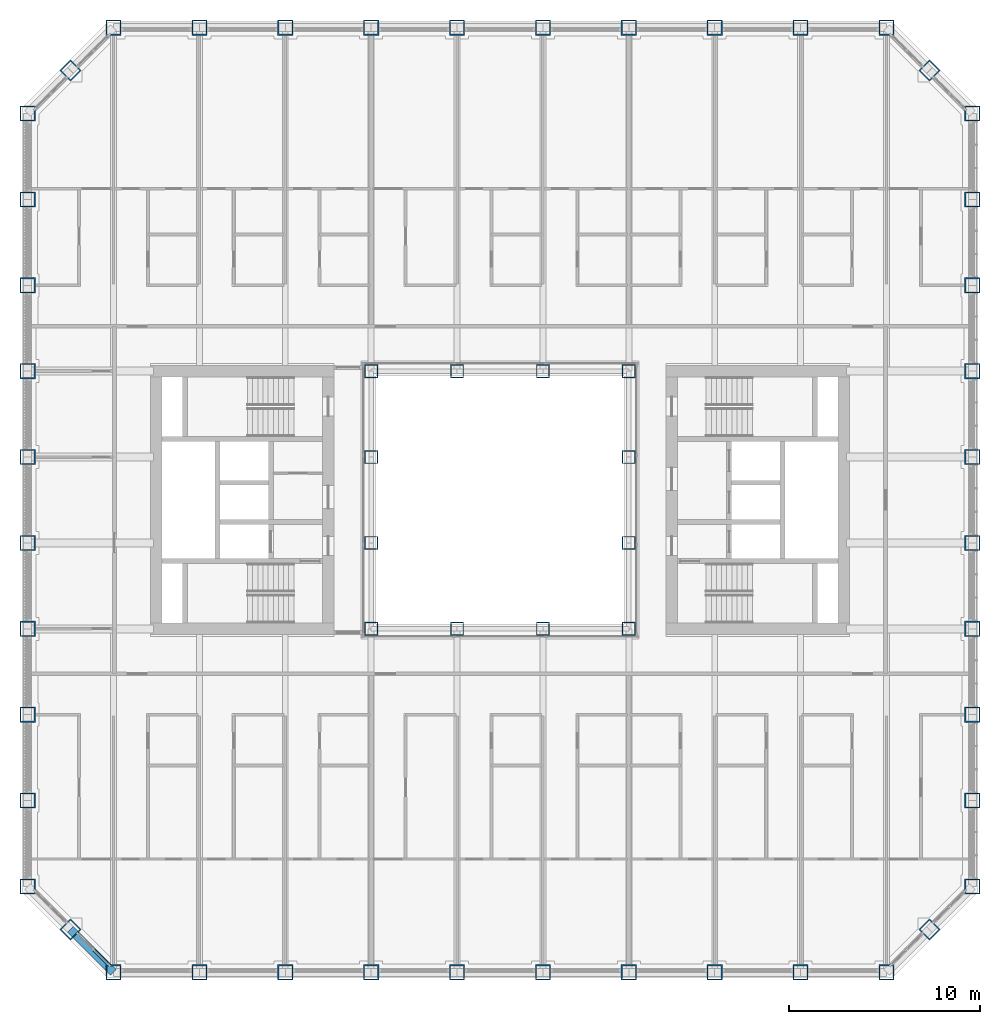
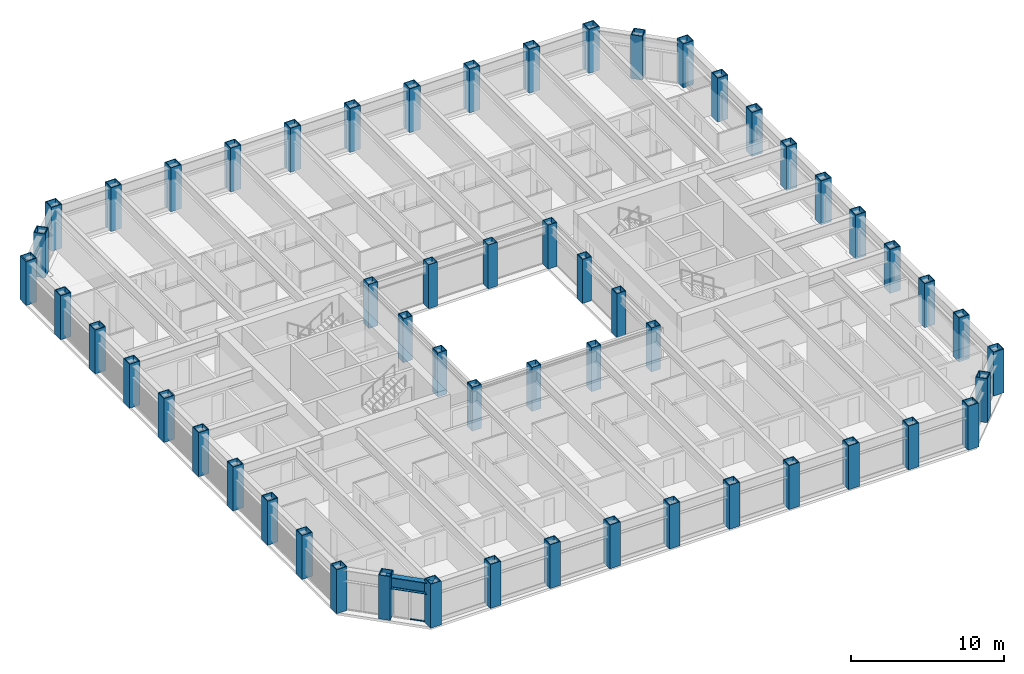
# One storey, part 1 of 21: 56 columns, 2 members, 1 beam, 1 element without a shape of its own.
"""IFC4 building model written with IfcOpenShell, lengths in metres."""

from ifc_helpers import new_model, si_unit, direction, frame, origin, origin_2d, place, context, subcontext, project, spatial, rectangle, hollow_rectangle, i_section, extrude, material, material_profile, profile_set, type_object, element, aggregate, save


model = new_model("IFC4")

# Units and contexts
model_context = context("Model", 3, precision=1e-05, world=origin(), true_north=direction((0.0, 1.0)))
body_context = subcontext(model_context, "Body", "Model", "MODEL_VIEW")
ifc_project = project(units=[si_unit("LENGTHUNIT", "METRE"), si_unit("AREAUNIT", "SQUARE_METRE"), si_unit("VOLUMEUNIT", "CUBIC_METRE"), si_unit("PLANEANGLEUNIT", "RADIAN"), si_unit("MASSUNIT", "GRAM", prefix="KILO")], contexts=[model_context])

# Site, building, storey
site_placement = place(None, origin())
site = spatial("IfcSite", under=ifc_project, at=site_placement, CompositionType="ELEMENT")
building_placement = place(site_placement, origin())
building = spatial("IfcBuilding", under=site, at=building_placement, Name="Msasa Ring Tower", CompositionType="ELEMENT")
storey_placement = place(building_placement, frame((0.0, 0.0, 96.5)))
storey = spatial("IfcBuildingStorey", under=building, at=storey_placement, Name="L25", CompositionType="ELEMENT", Elevation=96.5)

# Columns
ifc_material_1 = material(Name="Steel S355", Category="steel")
ifc_material_profile_1 = material_profile(ifc_material_1, hollow_rectangle(XDim=0.699951171875, YDim=0.699951171875, WallThickness=0.050048828125, at=origin_2d()), Name="BOX 700x700x50")
ifc_profile_set_1 = profile_set([ifc_material_profile_1], Name="Steel S355")
column_type_1 = type_object("IfcColumnType", Name="IC3 BOX 700x700x50", PredefinedType="COLUMN", material=ifc_profile_set_1)
for number, where, z_axis, x_axis, name in (
    (1, (-6.75, -6.75, 0.0), (0.0, 0.0, 1.0), (1.0, 0.0, 0.0), "Inner ring column IR-6.75-6.75 L25"),
    (2, (-6.75, -2.25, 0.0), (0.0, 0.0, 1.0), (1.0, 0.0, 0.0), "Inner ring column IR-6.75-2.25 L25"),
    (3, (-6.75, 2.25, 0.0), (0.0, 0.0, 1.0), (1.0, 0.0, 0.0), "Inner ring column IR-6.75+2.25 L25"),
    (4, (-6.75, 6.75, 0.0), (0.0, 0.0, 1.0), (1.0, 0.0, 0.0), "Inner ring column IR-6.75+6.75 L25"),
    (5, (-2.25, -6.75, 0.0), (0.0, 0.0, 1.0), (1.0, 0.0, 0.0), "Inner ring column IR-2.25-6.75 L25"),
    (6, (-2.25, 6.75, 0.0), (0.0, 0.0, 1.0), (1.0, 0.0, 0.0), "Inner ring column IR-2.25+6.75 L25"),
    (7, (2.25, -6.75, 0.0), (0.0, 0.0, 1.0), (1.0, 0.0, 0.0), "Inner ring column IR+2.25-6.75 L25"),
    (8, (2.25, 6.75, 0.0), (0.0, 0.0, 1.0), (1.0, 0.0, 0.0), "Inner ring column IR+2.25+6.75 L25"),
    (9, (6.75, -6.75, 0.0), (0.0, 0.0, 1.0), (1.0, 0.0, 0.0), "Inner ring column IR+6.75-6.75 L25"),
    (10, (6.75, -2.25, 0.0), (0.0, 0.0, 1.0), (1.0, 0.0, 0.0), "Inner ring column IR+6.75-2.25 L25"),
    (11, (6.75, 2.25, 0.0), (0.0, 0.0, 1.0), (1.0, 0.0, 0.0), "Inner ring column IR+6.75+2.25 L25"),
    (12, (6.75, 6.75, 0.0), (0.0, 0.0, 1.0), (1.0, 0.0, 0.0), "Inner ring column IR+6.75+6.75 L25"),
):
    element("IfcColumn", number, at=place(storey_placement, frame(where, z_axis=z_axis, x_axis=x_axis)), inside=storey, type_object=column_type_1, Name=name, PredefinedType="COLUMN", context=body_context, shape_type="SweptSolid", body=[
        extrude(hollow_rectangle(XDim=0.699951171875, YDim=0.699951171875, WallThickness=0.050048828125, at=origin_2d()), origin(), (0.0, 0.0, 1.0), 3.5),
    ])
ifc_material_2 = material(Name="Steel S355", Category="steel")
ifc_material_profile_2 = material_profile(ifc_material_2, hollow_rectangle(XDim=0.800048828125, YDim=0.800048828125, WallThickness=0.06005859375, at=origin_2d()), Name="BOX 800x800x60")
ifc_profile_set_2 = profile_set([ifc_material_profile_2], Name="Steel S355")
column_type_2 = type_object("IfcColumnType", Name="TC3 BOX 800x800x60", PredefinedType="COLUMN", material=ifc_profile_set_2)
for number, where, z_axis, x_axis, name in (
    (13, (-20.25, -24.75, 0.0), (0.0, 0.0, 1.0), (0.0, 1.0, 0.0), "Tube column S-20.25 L25"),
    (14, (-20.25, 24.75, 0.0), (0.0, 0.0, 1.0), (0.0, 1.0, 0.0), "Tube column N-20.25 L25"),
    (15, (24.75, -20.25, 0.0), (0.0, 0.0, 1.0), (1.0, 0.0, 0.0), "Tube column E-20.25 L25"),
    (16, (-24.75, -20.25, 0.0), (0.0, 0.0, 1.0), (1.0, 0.0, 0.0), "Tube column W-20.25 L25"),
    (17, (-15.75, -24.75, 0.0), (0.0, 0.0, 1.0), (0.0, 1.0, 0.0), "Tube column S-15.75 L25"),
    (18, (-15.75, 24.75, 0.0), (0.0, 0.0, 1.0), (0.0, 1.0, 0.0), "Tube column N-15.75 L25"),
    (19, (24.75, -15.75, 0.0), (0.0, 0.0, 1.0), (1.0, 0.0, 0.0), "Tube column E-15.75 L25"),
    (20, (-24.75, -15.75, 0.0), (0.0, 0.0, 1.0), (1.0, 0.0, 0.0), "Tube column W-15.75 L25"),
    (21, (-11.25, -24.75, 0.0), (0.0, 0.0, 1.0), (0.0, 1.0, 0.0), "Tube column S-11.25 L25"),
    (22, (-11.25, 24.75, 0.0), (0.0, 0.0, 1.0), (0.0, 1.0, 0.0), "Tube column N-11.25 L25"),
    (23, (24.75, -11.25, 0.0), (0.0, 0.0, 1.0), (1.0, 0.0, 0.0), "Tube column E-11.25 L25"),
    (24, (-24.75, -11.25, 0.0), (0.0, 0.0, 1.0), (1.0, 0.0, 0.0), "Tube column W-11.25 L25"),
    (25, (-6.75, -24.75, 0.0), (0.0, 0.0, 1.0), (0.0, 1.0, 0.0), "Tube column S-6.75 L25"),
    (26, (-6.75, 24.75, 0.0), (0.0, 0.0, 1.0), (0.0, 1.0, 0.0), "Tube column N-6.75 L25"),
    (27, (24.75, -6.75, 0.0), (0.0, 0.0, 1.0), (1.0, 0.0, 0.0), "Tube column E-6.75 L25"),
    (28, (-24.75, -6.75, 0.0), (0.0, 0.0, 1.0), (1.0, 0.0, 0.0), "Tube column W-6.75 L25"),
    (29, (-2.25, -24.75, 0.0), (0.0, 0.0, 1.0), (0.0, 1.0, 0.0), "Tube column S-2.25 L25"),
    (30, (-2.25, 24.75, 0.0), (0.0, 0.0, 1.0), (0.0, 1.0, 0.0), "Tube column N-2.25 L25"),
    (31, (24.75, -2.25, 0.0), (0.0, 0.0, 1.0), (1.0, 0.0, 0.0), "Tube column E-2.25 L25"),
    (32, (-24.75, -2.25, 0.0), (0.0, 0.0, 1.0), (1.0, 0.0, 0.0), "Tube column W-2.25 L25"),
    (33, (2.25, -24.75, 0.0), (0.0, 0.0, 1.0), (0.0, 1.0, 0.0), "Tube column S+2.25 L25"),
    (34, (2.25, 24.75, 0.0), (0.0, 0.0, 1.0), (0.0, 1.0, 0.0), "Tube column N+2.25 L25"),
    (35, (24.75, 2.25, 0.0), (0.0, 0.0, 1.0), (1.0, 0.0, 0.0), "Tube column E+2.25 L25"),
    (36, (-24.75, 2.25, 0.0), (0.0, 0.0, 1.0), (1.0, 0.0, 0.0), "Tube column W+2.25 L25"),
    (37, (6.75, -24.75, 0.0), (0.0, 0.0, 1.0), (0.0, 1.0, 0.0), "Tube column S+6.75 L25"),
    (38, (6.75, 24.75, 0.0), (0.0, 0.0, 1.0), (0.0, 1.0, 0.0), "Tube column N+6.75 L25"),
    (39, (24.75, 6.75, 0.0), (0.0, 0.0, 1.0), (1.0, 0.0, 0.0), "Tube column E+6.75 L25"),
    (40, (-24.75, 6.75, 0.0), (0.0, 0.0, 1.0), (1.0, 0.0, 0.0), "Tube column W+6.75 L25"),
    (41, (11.25, -24.75, 0.0), (0.0, 0.0, 1.0), (0.0, 1.0, 0.0), "Tube column S+11.25 L25"),
    (42, (11.25, 24.75, 0.0), (0.0, 0.0, 1.0), (0.0, 1.0, 0.0), "Tube column N+11.25 L25"),
    (43, (24.75, 11.25, 0.0), (0.0, 0.0, 1.0), (1.0, 0.0, 0.0), "Tube column E+11.25 L25"),
    (44, (-24.75, 11.25, 0.0), (0.0, 0.0, 1.0), (1.0, 0.0, 0.0), "Tube column W+11.25 L25"),
    (45, (15.75, -24.75, 0.0), (0.0, 0.0, 1.0), (0.0, 1.0, 0.0), "Tube column S+15.75 L25"),
    (46, (15.75, 24.75, 0.0), (0.0, 0.0, 1.0), (0.0, 1.0, 0.0), "Tube column N+15.75 L25"),
    (47, (24.75, 15.75, 0.0), (0.0, 0.0, 1.0), (1.0, 0.0, 0.0), "Tube column E+15.75 L25"),
    (48, (-24.75, 15.75, 0.0), (0.0, 0.0, 1.0), (1.0, 0.0, 0.0), "Tube column W+15.75 L25"),
    (49, (20.25, -24.75, 0.0), (0.0, 0.0, 1.0), (0.0, 1.0, 0.0), "Tube column S+20.25 L25"),
    (50, (20.25, 24.75, 0.0), (0.0, 0.0, 1.0), (0.0, 1.0, 0.0), "Tube column N+20.25 L25"),
    (51, (24.75, 20.25, 0.0), (0.0, 0.0, 1.0), (1.0, 0.0, 0.0), "Tube column E+20.25 L25"),
    (52, (-24.75, 20.25, 0.0), (0.0, 0.0, 1.0), (1.0, 0.0, 0.0), "Tube column W+20.25 L25"),
    (53, (22.5, -22.5, 0.0), (0.0, 0.0, 1.0), (0.707106781187, -0.707106781187, 0.0), "Tube column SE L25"),
    (54, (22.5, 22.5, 0.0), (0.0, 0.0, 1.0), (0.707106781187, 0.707106781187, 0.0), "Tube column NE L25"),
    (55, (-22.5, 22.5, 0.0), (0.0, 0.0, 1.0), (0.707106781187, -0.707106781187, 0.0), "Tube column NW L25"),
    (56, (-22.5, -22.5, 0.0), (0.0, 0.0, 1.0), (0.707106781187, 0.707106781187, 0.0), "Tube column SW L25"),
):
    element("IfcColumn", number, at=place(storey_placement, frame(where, z_axis=z_axis, x_axis=x_axis)), inside=storey, type_object=column_type_2, Name=name, PredefinedType="COLUMN", context=body_context, shape_type="SweptSolid", body=[
        extrude(hollow_rectangle(XDim=0.800048828125, YDim=0.800048828125, WallThickness=0.06005859375, at=origin_2d()), origin(), (0.0, 0.0, 1.0), 3.5),
    ])

# Curtain wall, members
ifc_material_3 = material(Name="Aluminium curtain wall with clear glass", Category="aluminium")
curtain_wall_type = type_object("IfcCurtainWallType", Name="CW-C CHAMFER CORNER CURTAIN WALL", PredefinedType="NOTDEFINED", material=ifc_material_3)
curtain_wall_placement = place(storey_placement, origin())
curtain_wall = element("IfcCurtainWall", 57, at=curtain_wall_placement, inside=storey, type_object=curtain_wall_type, Name="Chamfer corner curtain wall SW L25", PredefinedType="NOTDEFINED")
ifc_material_4 = material(Name="Aluminium transom", Category="aluminium")
ifc_material_profile_3 = material_profile(ifc_material_4, rectangle(XDim=0.139892578125, YDim=0.06494140625, at=origin_2d()), Name="AL 65x140")
ifc_profile_set_3 = profile_set([ifc_material_profile_3], Name="Aluminium transom")
member_type = type_object("IfcMemberType", Name="CW-C TRANSOM 65x140", PredefinedType="USERDEFINED", material=ifc_profile_set_3)
member_1_placement = place(storey_placement, frame((-21.28125, -23.577392578125, 0.032470703125), z_axis=(0.707106781187, -0.707106781187, 0.0), x_axis=(0.707106781187, 0.707106781187, 0.0)))
member_1 = element("IfcMember", 58, at=member_1_placement, type_object=member_type, Name="CW-C transom 2.1", ObjectType="TRANSOM", PredefinedType="USERDEFINED", context=body_context, shape_type="SweptSolid", body=[
    extrude(rectangle(XDim=0.139892578125, YDim=0.06494140625, at=origin_2d()), origin(), (0.0, 0.0, 1.0), 1.08837890625),
])
member_2_placement = place(storey_placement, frame((-21.28125, -23.577392578125, 2.346435546875), z_axis=(0.707106781187, -0.707106781187, 0.0), x_axis=(0.707106781187, 0.707106781187, 0.0)))
member_2 = element("IfcMember", 59, at=member_2_placement, type_object=member_type, Name="CW-C transom 2.2", ObjectType="TRANSOM", PredefinedType="USERDEFINED", context=body_context, shape_type="SweptSolid", body=[
    extrude(rectangle(XDim=0.139892578125, YDim=0.06494140625, at=origin_2d()), origin(), (0.0, 0.0, 1.0), 1.08837890625),
])
aggregate(curtain_wall, [member_1, member_2])

# Beam
ifc_material_5 = material(Name="Steel S355", Category="steel")
ifc_material_profile_4 = material_profile(ifc_material_5, i_section(OverallWidth=0.42041015625, OverallDepth=0.9208984375, WebThickness=0.021484375, FlangeThickness=0.03662109375, FilletRadius=0.024169921875, at=origin_2d()), Name="UB 914x419x388")
ifc_profile_set_4 = profile_set([ifc_material_profile_4], Name="Steel S355")
beam_type = type_object("IfcBeamType", Name="SB1 UB 914x419x388", PredefinedType="SPANDREL", material=ifc_profile_set_4)
beam_placement = place(storey_placement, frame((-22.5, -22.5, 2.839599609375), z_axis=(0.707106781187, -0.707106781187, 0.0), x_axis=(0.707106781187, 0.707106781187, 0.0)))
element("IfcBeam", 60, at=beam_placement, inside=storey, type_object=beam_type, Name="Spandrel SW to S-20.25 under L26", PredefinedType="SPANDREL", context=body_context, shape_type="SweptSolid", body=[
    extrude(i_section(OverallWidth=0.42041015625, OverallDepth=0.9208984375, WebThickness=0.021484375, FlangeThickness=0.03662109375, FilletRadius=0.024169921875, at=origin_2d()), origin(), (0.0, 0.0, 1.0), 3.181884765625),
])

save(model, "model.ifc")
